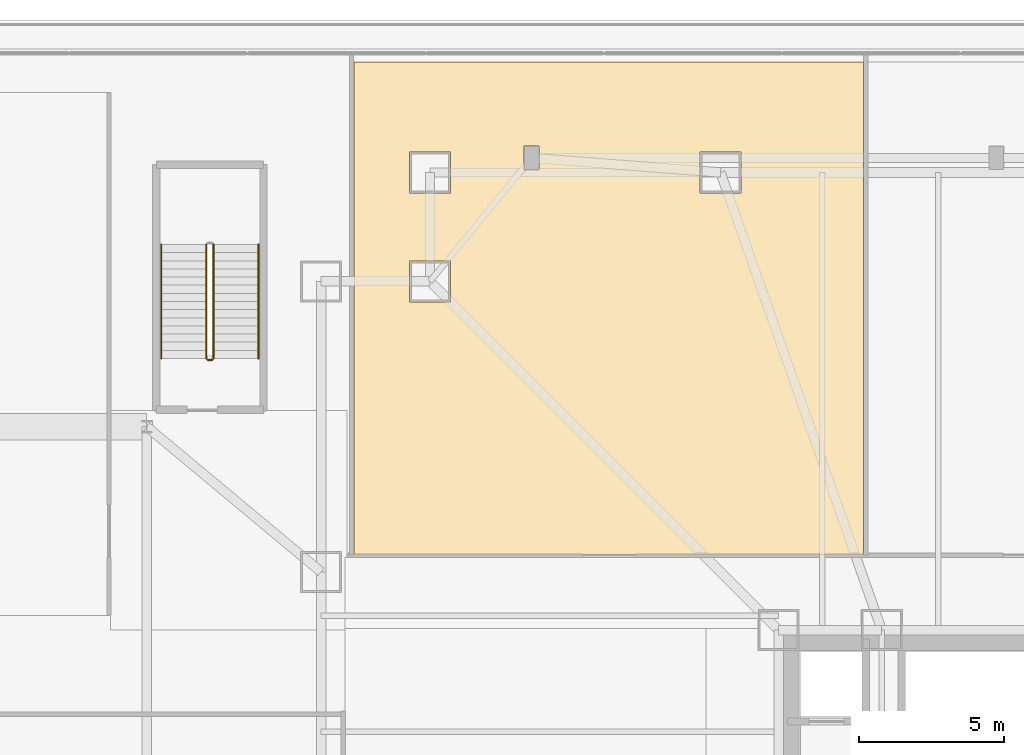
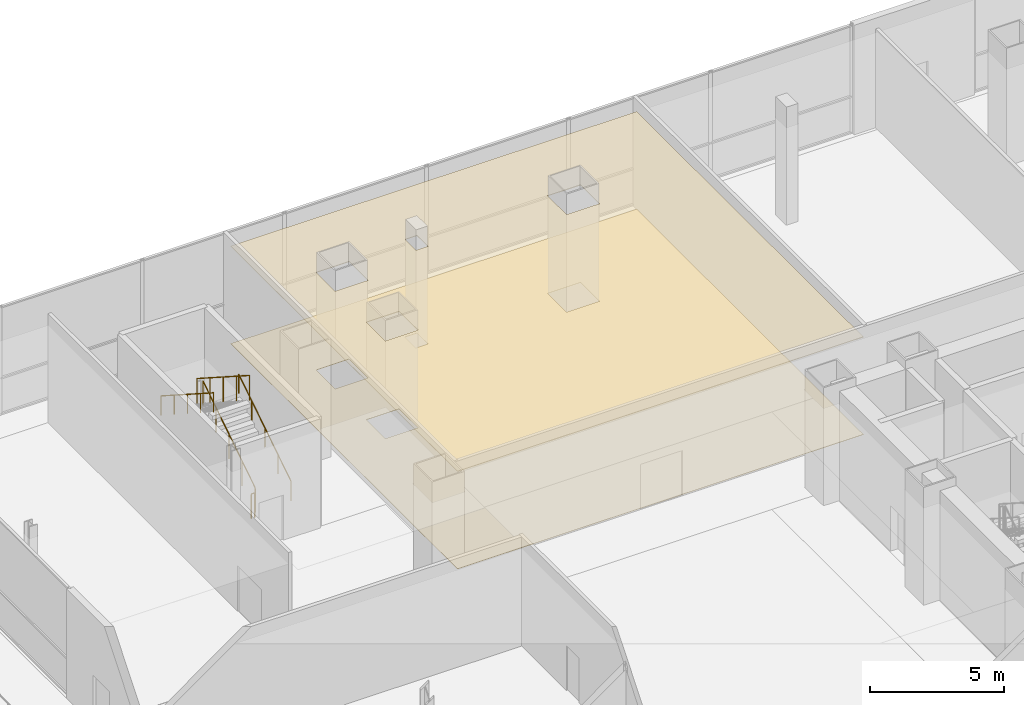
# One storey, part 31 of 36: 5 railings, 2 coverings.
"""IFC4 building model written with IfcOpenShell, lengths in metres."""

from ifc_helpers import new_model, si_unit, direction, frame, origin, origin_2d, place, context, subcontext, project, spatial, polyline, circle, outline, extrude, material, layer, layer_set, type_object, element, save


model = new_model("IFC4")

# Units and contexts
model_context = context("Model", 3, precision=1e-05, world=origin(), true_north=direction((0.0, 1.0)))
body_context = subcontext(model_context, "Body", "Model", "MODEL_VIEW")
ifc_project = project(units=[si_unit("LENGTHUNIT", "METRE"), si_unit("AREAUNIT", "SQUARE_METRE"), si_unit("VOLUMEUNIT", "CUBIC_METRE"), si_unit("PLANEANGLEUNIT", "RADIAN"), si_unit("MASSUNIT", "GRAM", prefix="KILO")], contexts=[model_context])

# Site, building, storey
site_placement = place(None, origin())
site = spatial("IfcSite", under=ifc_project, at=site_placement, CompositionType="ELEMENT")
building_placement = place(site_placement, origin())
building = spatial("IfcBuilding", under=site, at=building_placement, Name="Trevonay Congress Spire", CompositionType="ELEMENT")
storey_placement = place(building_placement, frame((0.0, 0.0, 5.39990234375)))
storey = spatial("IfcBuildingStorey", under=building, at=storey_placement, Name="L01", CompositionType="ELEMENT", Elevation=5.39990234375)

# Coverings
ifc_material_1 = material(Name="Acoustic Mineral Fibre Board", Category="gypsum")
ifc_layer_1 = layer(ifc_material_1, 0.02490234375, Name="Acoustic Mineral Fibre Board")
ifc_layer_set_1 = layer_set([ifc_layer_1], Name="Acoustic Mineral Fibre Board")
covering_type_1 = type_object("IfcCoveringType", Name="COV-CEIL-ACOUSTIC", PredefinedType="CEILING", material=ifc_layer_set_1)
covering_1_placement = place(storey_placement, frame((0.0, 0.0, 4.4501953125)))
element("IfcCovering", 1, at=covering_1_placement, inside=storey, type_object=covering_type_1, Name="L01 Plenary Pre-Function Foyer acoustic suspended ceiling", PredefinedType="CEILING", context=body_context, shape_type="SweptSolid", body=[
    extrude(outline(polyline([(-22.1201171875, 27.050048828125), (-4.580078125, 27.050048828125), (-4.580078125, 10.080078125), (-22.1201171875, 10.080078125), (-22.1201171875, 27.050048828125)]), holes=[polyline([(-20.2099609375, 20.2099609375), (-20.2099609375, 18.7900390625), (-18.7900390625, 18.7900390625), (-18.7900390625, 20.2099609375), (-20.2099609375, 20.2099609375)]), polyline([(-20.2099609375, 23.9599609375), (-20.2099609375, 22.5400390625), (-18.7900390625, 22.5400390625), (-18.7900390625, 23.9599609375), (-20.2099609375, 23.9599609375)]), polyline([(-10.2099609375, 23.9599609375), (-10.2099609375, 22.5400390625), (-8.7900390625, 22.5400390625), (-8.7900390625, 23.9599609375), (-10.2099609375, 23.9599609375)]), polyline([(-16.260009765625, 24.159912109375), (-16.260009765625, 23.340087890625), (-15.739990234375, 23.340087890625), (-15.739990234375, 24.159912109375), (-16.260009765625, 24.159912109375)])]), origin(), (0.0, 0.0, 1.0), 0.02490234375),
])
ifc_material_2 = material(Name="Engineered Oak Flooring", Category="wood")
ifc_layer_2 = layer(ifc_material_2, 0.01806640625, Name="Engineered Oak Flooring")
ifc_layer_set_2 = layer_set([ifc_layer_2], Name="Engineered Oak Flooring")
covering_type_2 = type_object("IfcCoveringType", Name="COV-FLOOR-TIMBER", PredefinedType="FLOORING", material=ifc_layer_set_2)
covering_2_placement = place(storey_placement, origin())
element("IfcCovering", 2, at=covering_2_placement, inside=storey, type_object=covering_type_2, Name="L01 Plenary Pre-Function Foyer floor finish", PredefinedType="FLOORING", context=body_context, shape_type="SweptSolid", body=[
    extrude(outline(polyline([(-22.1201171875, 27.050048828125), (-4.580078125, 27.050048828125), (-4.580078125, 10.080078125), (-22.1201171875, 10.080078125), (-22.1201171875, 27.050048828125)]), holes=[polyline([(-20.2099609375, 20.2099609375), (-20.2099609375, 18.7900390625), (-18.7900390625, 18.7900390625), (-18.7900390625, 20.2099609375), (-20.2099609375, 20.2099609375)]), polyline([(-20.2099609375, 23.9599609375), (-20.2099609375, 22.5400390625), (-18.7900390625, 22.5400390625), (-18.7900390625, 23.9599609375), (-20.2099609375, 23.9599609375)]), polyline([(-10.2099609375, 23.9599609375), (-10.2099609375, 22.5400390625), (-8.7900390625, 22.5400390625), (-8.7900390625, 23.9599609375), (-10.2099609375, 23.9599609375)]), polyline([(-16.260009765625, 24.159912109375), (-16.260009765625, 23.340087890625), (-15.739990234375, 23.340087890625), (-15.739990234375, 24.159912109375), (-16.260009765625, 24.159912109375)])]), origin(), (0.0, 0.0, 1.0), 0.01806640625),
])

# Railings
ifc_material_3 = material(Name="Pale Anodised Aluminium EN AW-6063-T6", Category="aluminium")
railing_type_1 = type_object("IfcRailingType", Name="RAL-STAIR-GUARD-110", PredefinedType="GUARDRAIL", material=ifc_material_3)
railing_1_placement = place(storey_placement, frame((-26.949951171875, 16.85009765625, 0.18017578125)))
element("IfcRailing", 3, at=railing_1_placement, inside=storey, type_object=railing_type_1, Name="L01 ST-5 stair guard 1", PredefinedType="GUARDRAIL", context=body_context, shape_type="SweptSolid", body=[
    extrude(circle(Radius=0.02392578125, at=origin_2d()), frame((0.0, 0.0, 1.1259765625), z_axis=(0.0, 0.841171666519, 0.540768182723), x_axis=(-1.0, 0.0, 0.0)), (0.0, 0.0, 1.0), 4.66015625),
    extrude(circle(Radius=0.02099609375, at=origin_2d()), origin(), (0.0, 0.0, 1.0), 1.101806640625),
    extrude(circle(Radius=0.02099609375, at=origin_2d()), frame((0.0, 0.97998046875, 0.6298828125)), (0.0, 0.0, 1.0), 1.101806640625),
    extrude(circle(Radius=0.02099609375, at=origin_2d()), frame((0.0, 1.9599609375, 1.260009765625)), (0.0, 0.0, 1.0), 1.101806640625),
    extrude(circle(Radius=0.02099609375, at=origin_2d()), frame((0.0, 2.93994140625, 1.89013671875)), (0.0, 0.0, 1.0), 1.101806640625),
    extrude(circle(Radius=0.02099609375, at=origin_2d()), frame((0.0, 3.919921875, 2.52001953125)), (0.0, 0.0, 1.0), 1.101806640625),
])
railing_2_placement = place(storey_placement, frame((-27.199951171875, 20.77001953125, 2.880126953125)))
element("IfcRailing", 4, at=railing_2_placement, inside=storey, type_object=railing_type_1, Name="L01 ST-5 stair guard 3", PredefinedType="GUARDRAIL", context=body_context, shape_type="SweptSolid", body=[
    extrude(circle(Radius=0.02392578125, at=origin_2d()), frame((0.0, 0.0, 1.1259765625), z_axis=(0.0, -0.841171666519, 0.540768182723), x_axis=(1.0, 0.0, 0.0)), (0.0, 0.0, 1.0), 4.66015625),
    extrude(circle(Radius=0.02099609375, at=origin_2d()), origin(), (0.0, 0.0, 1.0), 1.101806640625),
    extrude(circle(Radius=0.02099609375, at=origin_2d()), frame((0.0, -0.97998046875, 0.6298828125)), (0.0, 0.0, 1.0), 1.101806640625),
    extrude(circle(Radius=0.02099609375, at=origin_2d()), frame((0.0, -1.9599609375, 1.260009765625)), (0.0, 0.0, 1.0), 1.101806640625),
    extrude(circle(Radius=0.02099609375, at=origin_2d()), frame((0.0, -2.93994140625, 1.89013671875)), (0.0, 0.0, 1.0), 1.101806640625),
    extrude(circle(Radius=0.02099609375, at=origin_2d()), frame((0.0, -3.919921875, 2.52001953125)), (0.0, 0.0, 1.0), 1.101806640625),
])
railing_3_placement = place(storey_placement, frame((-27.0, 16.800048828125, 0.0)))
element("IfcRailing", 5, at=railing_3_placement, inside=storey, type_object=railing_type_1, Name="L01 ST-5 stair guard 4", PredefinedType="GUARDRAIL", context=body_context, shape_type="SweptSolid", body=[
    extrude(circle(Radius=0.02392578125, at=origin_2d()), frame((0.0, 0.0, 1.1259765625), z_axis=(-1.0, 0.0, 0.0), x_axis=(0.0, -1.0, 0.0)), (0.0, 0.0, 1.0), 0.14990234375),
    extrude(circle(Radius=0.02099609375, at=origin_2d()), origin(), (0.0, 0.0, 1.0), 1.101806640625),
    extrude(circle(Radius=0.02099609375, at=origin_2d()), frame((-0.14990234375, 0.0, 0.0)), (0.0, 0.0, 1.0), 1.101806640625),
])
railing_type_2 = type_object("IfcRailingType", Name="RAL-STAIR-HANDRAIL", PredefinedType="HANDRAIL", material=ifc_material_3)
railing_4_placement = place(storey_placement, frame((-25.39990234375, 16.85009765625, 0.18017578125)))
element("IfcRailing", 6, at=railing_4_placement, inside=storey, type_object=railing_type_2, Name="L01 ST-5 stair handrail 1", PredefinedType="HANDRAIL", context=body_context, shape_type="SweptSolid", body=[
    extrude(circle(Radius=0.02392578125, at=origin_2d()), frame((0.0, 0.0, 0.8759765625), z_axis=(0.0, 0.841171666519, 0.540768182723), x_axis=(-1.0, 0.0, 0.0)), (0.0, 0.0, 1.0), 4.66015625),
    extrude(circle(Radius=0.02099609375, at=origin_2d()), origin(), (0.0, 0.0, 1.0), 0.851806640625),
    extrude(circle(Radius=0.02099609375, at=origin_2d()), frame((0.0, 0.97998046875, 0.6298828125)), (0.0, 0.0, 1.0), 0.851806640625),
    extrude(circle(Radius=0.02099609375, at=origin_2d()), frame((0.0, 1.9599609375, 1.260009765625)), (0.0, 0.0, 1.0), 0.851806640625),
    extrude(circle(Radius=0.02099609375, at=origin_2d()), frame((0.0, 2.93994140625, 1.89013671875)), (0.0, 0.0, 1.0), 0.851806640625),
    extrude(circle(Radius=0.02099609375, at=origin_2d()), frame((0.0, 3.919921875, 2.52001953125)), (0.0, 0.0, 1.0), 0.851806640625),
])
railing_5_placement = place(storey_placement, frame((-28.75, 20.77001953125, 2.880126953125)))
element("IfcRailing", 7, at=railing_5_placement, inside=storey, type_object=railing_type_2, Name="L01 ST-5 stair handrail 2", PredefinedType="HANDRAIL", context=body_context, shape_type="SweptSolid", body=[
    extrude(circle(Radius=0.02392578125, at=origin_2d()), frame((0.0, 0.0, 0.8759765625), z_axis=(0.0, -0.841171666519, 0.540768182723), x_axis=(1.0, 0.0, 0.0)), (0.0, 0.0, 1.0), 4.66015625),
    extrude(circle(Radius=0.02099609375, at=origin_2d()), origin(), (0.0, 0.0, 1.0), 0.851806640625),
    extrude(circle(Radius=0.02099609375, at=origin_2d()), frame((0.0, -0.97998046875, 0.6298828125)), (0.0, 0.0, 1.0), 0.851806640625),
    extrude(circle(Radius=0.02099609375, at=origin_2d()), frame((0.0, -1.9599609375, 1.260009765625)), (0.0, 0.0, 1.0), 0.851806640625),
    extrude(circle(Radius=0.02099609375, at=origin_2d()), frame((0.0, -2.93994140625, 1.89013671875)), (0.0, 0.0, 1.0), 0.851806640625),
    extrude(circle(Radius=0.02099609375, at=origin_2d()), frame((0.0, -3.919921875, 2.52001953125)), (0.0, 0.0, 1.0), 0.851806640625),
])

save(model, "model.ifc")
